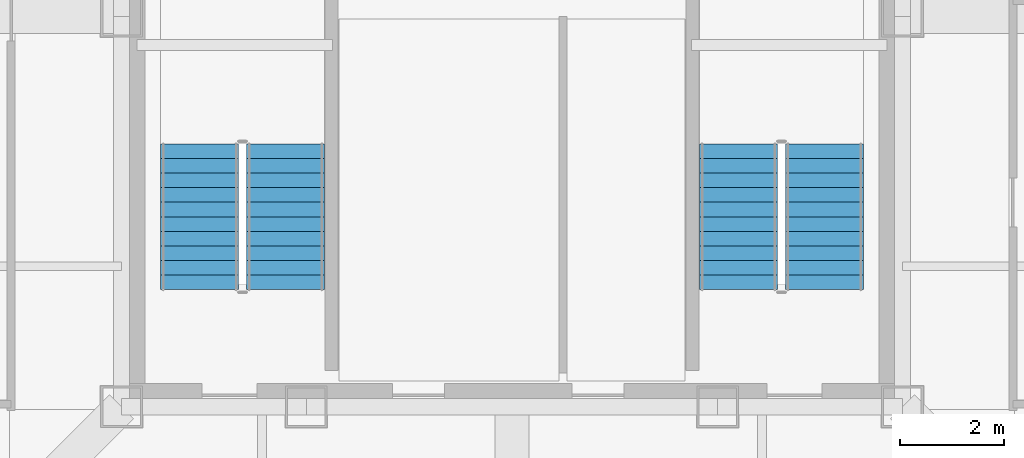
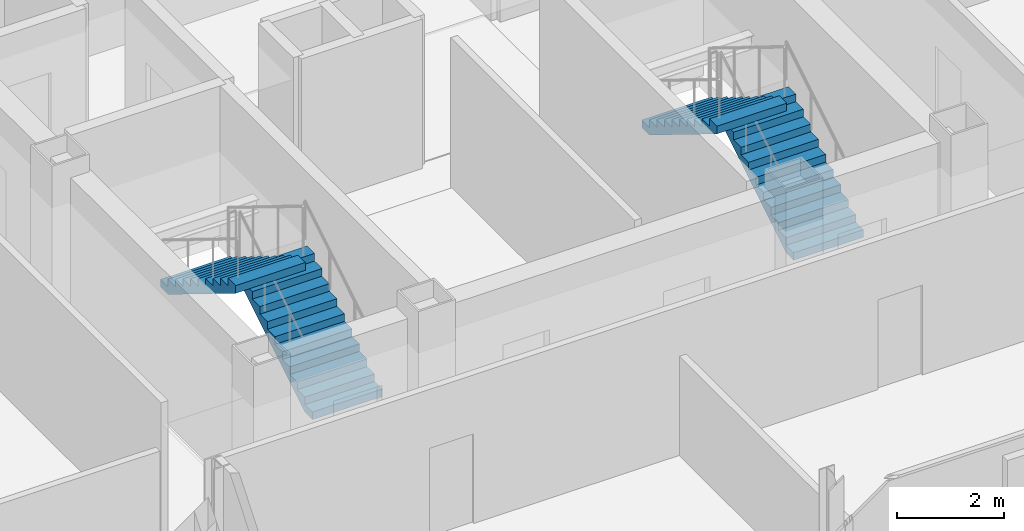
# One storey, part 9 of 11: 4 stair flights, 2 elements without a shape of their own.
"""IFC4 building model written with IfcOpenShell, lengths in metres."""

from ifc_helpers import new_model, si_unit, direction, frame, origin, place, context, subcontext, project, spatial, polyline, outline, extrude, material, type_object, element, aggregate, save


model = new_model("IFC4")

# Units and contexts
model_context = context("Model", 3, precision=1e-05, world=origin(), true_north=direction((0.0, 1.0)))
body_context = subcontext(model_context, "Body", "Model", "MODEL_VIEW")
ifc_project = project(units=[si_unit("LENGTHUNIT", "METRE"), si_unit("AREAUNIT", "SQUARE_METRE"), si_unit("VOLUMEUNIT", "CUBIC_METRE"), si_unit("PLANEANGLEUNIT", "RADIAN"), si_unit("MASSUNIT", "GRAM", prefix="KILO")], contexts=[model_context])

# Site, building, storey
site_placement = place(None, origin())
site = spatial("IfcSite", under=ifc_project, at=site_placement, CompositionType="ELEMENT")
building_placement = place(site_placement, origin())
building = spatial("IfcBuilding", under=site, at=building_placement, Name="Trevonay Congress Spire", CompositionType="ELEMENT")
storey_placement = place(building_placement, frame((0.0, 0.0, 312.199951171875)))
storey = spatial("IfcBuildingStorey", under=building, at=storey_placement, Name="L82", CompositionType="ELEMENT", Elevation=312.199951171875)

# Stair, stair flights
ifc_material = material(Name="Concrete C40/50", Category="concrete")
stair_type_1 = type_object("IfcStairType", Name="STR-ST-1", PredefinedType="HALF_TURN_STAIR", material=ifc_material)
stair_1_placement = place(storey_placement, origin())
stair_1 = element("IfcStair", 1, at=stair_1_placement, inside=storey, type_object=stair_type_1, Name="L82 Protected Exit Stair ST-1", PredefinedType="HALF_TURN_STAIR")
stair_flight_type_1 = type_object("IfcStairFlightType", Name="SFL-ST-1", PredefinedType="STRAIGHT", material=ifc_material)
stair_flight_1_placement = place(storey_placement, frame((-4.35009765625, -5.25, 0.0), z_axis=(0.0, 0.0, 1.0), x_axis=(0.0, 1.0, 0.0)))
stair_flight_1 = element("IfcStairFlight", 2, at=stair_flight_1_placement, type_object=stair_flight_type_1, Name="ST-1 flight 1", NumberOfRisers=11, NumberOfTreads=10, PredefinedType="STRAIGHT", RiserHeight=0.172727273, TreadLength=0.28, context=body_context, shape_type="SweptSolid", body=[
    extrude(outline(polyline([(0.0, 0.0), (0.0, 0.172607421875), (0.280029296875, 0.172607421875), (0.280029296875, 0.345458984375), (0.56005859375, 0.345458984375), (0.56005859375, 0.51806640625), (0.840087890625, 0.51806640625), (0.840087890625, 0.69091796875), (1.1201171875, 0.69091796875), (1.1201171875, 0.863525390625), (1.39990234375, 0.863525390625), (1.39990234375, 1.036376953125), (1.679931640625, 1.036376953125), (1.679931640625, 1.208984375), (1.9599609375, 1.208984375), (1.9599609375, 1.3818359375), (2.239990234375, 1.3818359375), (2.239990234375, 1.554443359375), (2.52001953125, 1.554443359375), (2.52001953125, 1.727294921875), (2.800048828125, 1.727294921875), (2.800048828125, 1.89990234375), (2.800048828125, 1.551025390625), (0.285400390625, 0.0), (0.0, 0.0)])), frame((0.0, 0.75, 0.0), z_axis=(0.0, -1.0, 0.0), x_axis=(1.0, 0.0, 0.0)), (0.0, 0.0, 1.0), 1.5),
])
stair_flight_2_placement = place(storey_placement, frame((-6.0, -2.449951171875, 1.900146484375), z_axis=(0.0, 0.0, 1.0), x_axis=(0.0, -1.0, 0.0)))
stair_flight_2 = element("IfcStairFlight", 3, at=stair_flight_2_placement, type_object=stair_flight_type_1, Name="ST-1 flight 2", NumberOfRisers=11, NumberOfTreads=10, PredefinedType="STRAIGHT", RiserHeight=0.172727273, TreadLength=0.28, context=body_context, shape_type="SweptSolid", body=[
    extrude(outline(polyline([(0.0, 0.0), (0.0, 0.172607421875), (0.280029296875, 0.172607421875), (0.280029296875, 0.345458984375), (0.56005859375, 0.345458984375), (0.56005859375, 0.51806640625), (0.840087890625, 0.51806640625), (0.840087890625, 0.69091796875), (1.1201171875, 0.69091796875), (1.1201171875, 0.863525390625), (1.39990234375, 0.863525390625), (1.39990234375, 1.036376953125), (1.679931640625, 1.036376953125), (1.679931640625, 1.208984375), (1.9599609375, 1.208984375), (1.9599609375, 1.3818359375), (2.239990234375, 1.3818359375), (2.239990234375, 1.554443359375), (2.52001953125, 1.554443359375), (2.52001953125, 1.727294921875), (2.800048828125, 1.727294921875), (2.800048828125, 1.89990234375), (2.800048828125, 1.551025390625), (0.285400390625, 0.0), (0.0, 0.0)])), frame((0.0, 0.75, 0.0), z_axis=(0.0, -1.0, 0.0), x_axis=(1.0, 0.0, 0.0)), (0.0, 0.0, 1.0), 1.5),
])
aggregate(stair_1, [stair_flight_1, stair_flight_2])

stair_type_2 = type_object("IfcStairType", Name="STR-ST-2", PredefinedType="HALF_TURN_STAIR", material=ifc_material)
stair_2_placement = place(storey_placement, origin())
stair_2 = element("IfcStair", 4, at=stair_2_placement, inside=storey, type_object=stair_type_2, Name="L82 Protected Exit Stair ST-2", PredefinedType="HALF_TURN_STAIR")
stair_flight_type_2 = type_object("IfcStairFlightType", Name="SFL-ST-2", PredefinedType="STRAIGHT", material=ifc_material)
stair_flight_3_placement = place(storey_placement, frame((6.0, -5.25, 0.0), z_axis=(0.0, 0.0, 1.0), x_axis=(0.0, 1.0, 0.0)))
stair_flight_3 = element("IfcStairFlight", 5, at=stair_flight_3_placement, type_object=stair_flight_type_2, Name="ST-2 flight 1", NumberOfRisers=11, NumberOfTreads=10, PredefinedType="STRAIGHT", RiserHeight=0.172727273, TreadLength=0.28, context=body_context, shape_type="SweptSolid", body=[
    extrude(outline(polyline([(0.0, 0.0), (0.0, 0.172607421875), (0.280029296875, 0.172607421875), (0.280029296875, 0.345458984375), (0.56005859375, 0.345458984375), (0.56005859375, 0.51806640625), (0.840087890625, 0.51806640625), (0.840087890625, 0.69091796875), (1.1201171875, 0.69091796875), (1.1201171875, 0.863525390625), (1.39990234375, 0.863525390625), (1.39990234375, 1.036376953125), (1.679931640625, 1.036376953125), (1.679931640625, 1.208984375), (1.9599609375, 1.208984375), (1.9599609375, 1.3818359375), (2.239990234375, 1.3818359375), (2.239990234375, 1.554443359375), (2.52001953125, 1.554443359375), (2.52001953125, 1.727294921875), (2.800048828125, 1.727294921875), (2.800048828125, 1.89990234375), (2.800048828125, 1.551025390625), (0.285400390625, 0.0), (0.0, 0.0)])), frame((0.0, 0.75, 0.0), z_axis=(0.0, -1.0, 0.0), x_axis=(1.0, 0.0, 0.0)), (0.0, 0.0, 1.0), 1.5),
])
stair_flight_4_placement = place(storey_placement, frame((4.35009765625, -2.449951171875, 1.900146484375), z_axis=(0.0, 0.0, 1.0), x_axis=(0.0, -1.0, 0.0)))
stair_flight_4 = element("IfcStairFlight", 6, at=stair_flight_4_placement, type_object=stair_flight_type_2, Name="ST-2 flight 2", NumberOfRisers=11, NumberOfTreads=10, PredefinedType="STRAIGHT", RiserHeight=0.172727273, TreadLength=0.28, context=body_context, shape_type="SweptSolid", body=[
    extrude(outline(polyline([(0.0, 0.0), (0.0, 0.172607421875), (0.280029296875, 0.172607421875), (0.280029296875, 0.345458984375), (0.56005859375, 0.345458984375), (0.56005859375, 0.51806640625), (0.840087890625, 0.51806640625), (0.840087890625, 0.69091796875), (1.1201171875, 0.69091796875), (1.1201171875, 0.863525390625), (1.39990234375, 0.863525390625), (1.39990234375, 1.036376953125), (1.679931640625, 1.036376953125), (1.679931640625, 1.208984375), (1.9599609375, 1.208984375), (1.9599609375, 1.3818359375), (2.239990234375, 1.3818359375), (2.239990234375, 1.554443359375), (2.52001953125, 1.554443359375), (2.52001953125, 1.727294921875), (2.800048828125, 1.727294921875), (2.800048828125, 1.89990234375), (2.800048828125, 1.551025390625), (0.285400390625, 0.0), (0.0, 0.0)])), frame((0.0, 0.75, 0.0), z_axis=(0.0, -1.0, 0.0), x_axis=(1.0, 0.0, 0.0)), (0.0, 0.0, 1.0), 1.5),
])
aggregate(stair_2, [stair_flight_3, stair_flight_4])

save(model, "model.ifc")
